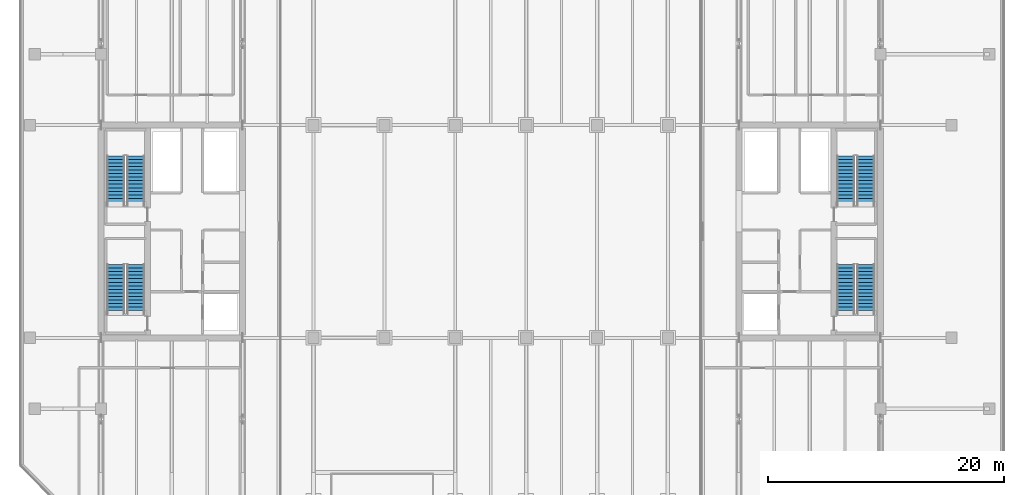
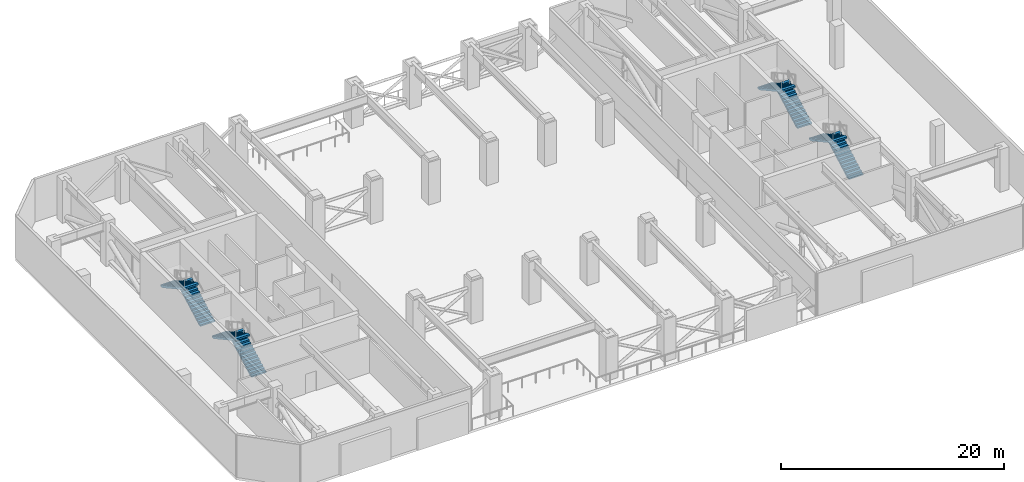
# One storey, part 15 of 21: 8 stair flights, 4 elements without a shape of their own.
"""IFC4 building model written with IfcOpenShell, lengths in metres."""

from ifc_helpers import new_model, si_unit, direction, frame, origin, place, context, subcontext, project, spatial, polyline, outline, extrude, material, type_object, element, aggregate, save


model = new_model("IFC4")

# Units and contexts
model_context = context("Model", 3, precision=1e-05, world=origin(), true_north=direction((0.0, 1.0)))
body_context = subcontext(model_context, "Body", "Model", "MODEL_VIEW")
ifc_project = project(units=[si_unit("LENGTHUNIT", "METRE"), si_unit("AREAUNIT", "SQUARE_METRE"), si_unit("VOLUMEUNIT", "CUBIC_METRE"), si_unit("PLANEANGLEUNIT", "RADIAN"), si_unit("MASSUNIT", "GRAM", prefix="KILO")], contexts=[model_context])

# Site, building, storey
site_placement = place(None, origin())
site = spatial("IfcSite", under=ifc_project, at=site_placement, CompositionType="ELEMENT")
building_placement = place(site_placement, origin())
building = spatial("IfcBuilding", under=site, at=building_placement, Name="Tanjung Sevakor Pilgrim Tower", CompositionType="ELEMENT")
storey_placement = place(building_placement, frame((0.0, 0.0, 123.090087890625)))
storey = spatial("IfcBuildingStorey", under=building, at=storey_placement, Name="L34", CompositionType="ELEMENT", Elevation=123.090087890625)

# Stair, stair flights
ifc_material_1 = material(Name="Concrete C40/50", Category="concrete")
stair_type = type_object("IfcStairType", Name="STAIR-ST-CR150", PredefinedType="HALF_TURN_STAIR", material=ifc_material_1)
stair_1_placement = place(storey_placement, origin())
stair_1 = element("IfcStair", 1, at=stair_1_placement, inside=storey, type_object=stair_type, Name="L34 West Core Exit Stair 1", PredefinedType="HALF_TURN_STAIR")
ifc_material_2 = material(Name="Concrete C40/50", Category="concrete")
stair_flight_type = type_object("IfcStairFlightType", Name="FLIGHT-ST-CR150", PredefinedType="STRAIGHT", material=ifc_material_2)
stair_flight_1_placement = place(storey_placement, frame((26.949951171875, 26.60009765625, 0.0), z_axis=(0.0, 0.0, 1.0), x_axis=(0.0, 1.0, 0.0)))
stair_flight_1 = element("IfcStairFlight", 2, at=stair_flight_1_placement, type_object=stair_flight_type, Name="TS-W1 flight 1", NumberOfRisers=15, NumberOfTreads=14, PredefinedType="STRAIGHT", RiserHeight=0.165, TreadLength=0.3, context=body_context, shape_type="SweptSolid", body=[
    extrude(outline(polyline([(0.0, 0.0), (0.0, 0.1650390625), (0.300048828125, 0.1650390625), (0.300048828125, 0.330078125), (0.60009765625, 0.330078125), (0.60009765625, 0.4951171875), (0.89990234375, 0.4951171875), (0.89990234375, 0.659912109375), (1.199951171875, 0.659912109375), (1.199951171875, 0.824951171875), (1.5, 0.824951171875), (1.5, 0.989990234375), (1.800048828125, 0.989990234375), (1.800048828125, 1.155029296875), (2.10009765625, 1.155029296875), (2.10009765625, 1.320068359375), (2.39990234375, 1.320068359375), (2.39990234375, 1.485107421875), (2.699951171875, 1.485107421875), (2.699951171875, 1.64990234375), (3.0, 1.64990234375), (3.0, 1.81494140625), (3.300048828125, 1.81494140625), (3.300048828125, 1.97998046875), (3.60009765625, 1.97998046875), (3.60009765625, 2.14501953125), (3.89990234375, 2.14501953125), (3.89990234375, 2.31005859375), (4.199951171875, 2.31005859375), (4.199951171875, 2.47509765625), (4.199951171875, 2.12744140625), (0.331787109375, 0.0), (0.0, 0.0)])), frame((0.0, 0.75, 0.0), z_axis=(0.0, -1.0, 0.0), x_axis=(1.0, 0.0, 0.0)), (0.0, 0.0, 1.0), 1.5),
])
stair_flight_2_placement = place(storey_placement, frame((25.25, 30.800048828125, 2.474853515625), z_axis=(0.0, 0.0, 1.0), x_axis=(0.0, -1.0, 0.0)))
stair_flight_2 = element("IfcStairFlight", 3, at=stair_flight_2_placement, type_object=stair_flight_type, Name="TS-W1 flight 2", NumberOfRisers=15, NumberOfTreads=14, PredefinedType="STRAIGHT", RiserHeight=0.165, TreadLength=0.3, context=body_context, shape_type="SweptSolid", body=[
    extrude(outline(polyline([(0.0, 0.0), (0.0, 0.1650390625), (0.300048828125, 0.1650390625), (0.300048828125, 0.330078125), (0.60009765625, 0.330078125), (0.60009765625, 0.4951171875), (0.89990234375, 0.4951171875), (0.89990234375, 0.659912109375), (1.199951171875, 0.659912109375), (1.199951171875, 0.824951171875), (1.5, 0.824951171875), (1.5, 0.989990234375), (1.800048828125, 0.989990234375), (1.800048828125, 1.155029296875), (2.10009765625, 1.155029296875), (2.10009765625, 1.320068359375), (2.39990234375, 1.320068359375), (2.39990234375, 1.485107421875), (2.699951171875, 1.485107421875), (2.699951171875, 1.64990234375), (3.0, 1.64990234375), (3.0, 1.81494140625), (3.300048828125, 1.81494140625), (3.300048828125, 1.97998046875), (3.60009765625, 1.97998046875), (3.60009765625, 2.14501953125), (3.89990234375, 2.14501953125), (3.89990234375, 2.31005859375), (4.199951171875, 2.31005859375), (4.199951171875, 2.47509765625), (4.199951171875, 2.12744140625), (0.331787109375, 0.0), (0.0, 0.0)])), frame((0.0, 0.75, 0.0), z_axis=(0.0, -1.0, 0.0), x_axis=(1.0, 0.0, 0.0)), (0.0, 0.0, 1.0), 1.5),
])
aggregate(stair_1, [stair_flight_1, stair_flight_2])

stair_2_placement = place(storey_placement, origin())
stair_2 = element("IfcStair", 4, at=stair_2_placement, inside=storey, type_object=stair_type, Name="L34 West Core Exit Stair 2", PredefinedType="HALF_TURN_STAIR")
stair_flight_3_placement = place(storey_placement, frame((26.949951171875, 35.800048828125, 0.0), z_axis=(0.0, 0.0, 1.0), x_axis=(0.0, 1.0, 0.0)))
stair_flight_3 = element("IfcStairFlight", 5, at=stair_flight_3_placement, type_object=stair_flight_type, Name="TS-W2 flight 1", NumberOfRisers=15, NumberOfTreads=14, PredefinedType="STRAIGHT", RiserHeight=0.165, TreadLength=0.3, context=body_context, shape_type="SweptSolid", body=[
    extrude(outline(polyline([(0.0, 0.0), (0.0, 0.1650390625), (0.300048828125, 0.1650390625), (0.300048828125, 0.330078125), (0.60009765625, 0.330078125), (0.60009765625, 0.4951171875), (0.89990234375, 0.4951171875), (0.89990234375, 0.659912109375), (1.199951171875, 0.659912109375), (1.199951171875, 0.824951171875), (1.5, 0.824951171875), (1.5, 0.989990234375), (1.800048828125, 0.989990234375), (1.800048828125, 1.155029296875), (2.10009765625, 1.155029296875), (2.10009765625, 1.320068359375), (2.39990234375, 1.320068359375), (2.39990234375, 1.485107421875), (2.699951171875, 1.485107421875), (2.699951171875, 1.64990234375), (3.0, 1.64990234375), (3.0, 1.81494140625), (3.300048828125, 1.81494140625), (3.300048828125, 1.97998046875), (3.60009765625, 1.97998046875), (3.60009765625, 2.14501953125), (3.89990234375, 2.14501953125), (3.89990234375, 2.31005859375), (4.199951171875, 2.31005859375), (4.199951171875, 2.47509765625), (4.199951171875, 2.12744140625), (0.331787109375, 0.0), (0.0, 0.0)])), frame((0.0, 0.75, 0.0), z_axis=(0.0, -1.0, 0.0), x_axis=(1.0, 0.0, 0.0)), (0.0, 0.0, 1.0), 1.5),
])
stair_flight_4_placement = place(storey_placement, frame((25.25, 40.0, 2.474853515625), z_axis=(0.0, 0.0, 1.0), x_axis=(0.0, -1.0, 0.0)))
stair_flight_4 = element("IfcStairFlight", 6, at=stair_flight_4_placement, type_object=stair_flight_type, Name="TS-W2 flight 2", NumberOfRisers=15, NumberOfTreads=14, PredefinedType="STRAIGHT", RiserHeight=0.165, TreadLength=0.3, context=body_context, shape_type="SweptSolid", body=[
    extrude(outline(polyline([(0.0, 0.0), (0.0, 0.1650390625), (0.300048828125, 0.1650390625), (0.300048828125, 0.330078125), (0.60009765625, 0.330078125), (0.60009765625, 0.4951171875), (0.89990234375, 0.4951171875), (0.89990234375, 0.659912109375), (1.199951171875, 0.659912109375), (1.199951171875, 0.824951171875), (1.5, 0.824951171875), (1.5, 0.989990234375), (1.800048828125, 0.989990234375), (1.800048828125, 1.155029296875), (2.10009765625, 1.155029296875), (2.10009765625, 1.320068359375), (2.39990234375, 1.320068359375), (2.39990234375, 1.485107421875), (2.699951171875, 1.485107421875), (2.699951171875, 1.64990234375), (3.0, 1.64990234375), (3.0, 1.81494140625), (3.300048828125, 1.81494140625), (3.300048828125, 1.97998046875), (3.60009765625, 1.97998046875), (3.60009765625, 2.14501953125), (3.89990234375, 2.14501953125), (3.89990234375, 2.31005859375), (4.199951171875, 2.31005859375), (4.199951171875, 2.47509765625), (4.199951171875, 2.12744140625), (0.331787109375, 0.0), (0.0, 0.0)])), frame((0.0, 0.75, 0.0), z_axis=(0.0, -1.0, 0.0), x_axis=(1.0, 0.0, 0.0)), (0.0, 0.0, 1.0), 1.5),
])
aggregate(stair_2, [stair_flight_3, stair_flight_4])

stair_3_placement = place(storey_placement, origin())
stair_3 = element("IfcStair", 7, at=stair_3_placement, inside=storey, type_object=stair_type, Name="L34 East Core Exit Stair 1", PredefinedType="HALF_TURN_STAIR")
stair_flight_5_placement = place(storey_placement, frame((88.75, 26.60009765625, 0.0), z_axis=(0.0, 0.0, 1.0), x_axis=(0.0, 1.0, 0.0)))
stair_flight_5 = element("IfcStairFlight", 8, at=stair_flight_5_placement, type_object=stair_flight_type, Name="TS-E1 flight 1", NumberOfRisers=15, NumberOfTreads=14, PredefinedType="STRAIGHT", RiserHeight=0.165, TreadLength=0.3, context=body_context, shape_type="SweptSolid", body=[
    extrude(outline(polyline([(0.0, 0.0), (0.0, 0.1650390625), (0.300048828125, 0.1650390625), (0.300048828125, 0.330078125), (0.60009765625, 0.330078125), (0.60009765625, 0.4951171875), (0.89990234375, 0.4951171875), (0.89990234375, 0.659912109375), (1.199951171875, 0.659912109375), (1.199951171875, 0.824951171875), (1.5, 0.824951171875), (1.5, 0.989990234375), (1.800048828125, 0.989990234375), (1.800048828125, 1.155029296875), (2.10009765625, 1.155029296875), (2.10009765625, 1.320068359375), (2.39990234375, 1.320068359375), (2.39990234375, 1.485107421875), (2.699951171875, 1.485107421875), (2.699951171875, 1.64990234375), (3.0, 1.64990234375), (3.0, 1.81494140625), (3.300048828125, 1.81494140625), (3.300048828125, 1.97998046875), (3.60009765625, 1.97998046875), (3.60009765625, 2.14501953125), (3.89990234375, 2.14501953125), (3.89990234375, 2.31005859375), (4.199951171875, 2.31005859375), (4.199951171875, 2.47509765625), (4.199951171875, 2.12744140625), (0.331787109375, 0.0), (0.0, 0.0)])), frame((0.0, 0.75, 0.0), z_axis=(0.0, -1.0, 0.0), x_axis=(1.0, 0.0, 0.0)), (0.0, 0.0, 1.0), 1.5),
])
stair_flight_6_placement = place(storey_placement, frame((87.050048828125, 30.800048828125, 2.474853515625), z_axis=(0.0, 0.0, 1.0), x_axis=(0.0, -1.0, 0.0)))
stair_flight_6 = element("IfcStairFlight", 9, at=stair_flight_6_placement, type_object=stair_flight_type, Name="TS-E1 flight 2", NumberOfRisers=15, NumberOfTreads=14, PredefinedType="STRAIGHT", RiserHeight=0.165, TreadLength=0.3, context=body_context, shape_type="SweptSolid", body=[
    extrude(outline(polyline([(0.0, 0.0), (0.0, 0.1650390625), (0.300048828125, 0.1650390625), (0.300048828125, 0.330078125), (0.60009765625, 0.330078125), (0.60009765625, 0.4951171875), (0.89990234375, 0.4951171875), (0.89990234375, 0.659912109375), (1.199951171875, 0.659912109375), (1.199951171875, 0.824951171875), (1.5, 0.824951171875), (1.5, 0.989990234375), (1.800048828125, 0.989990234375), (1.800048828125, 1.155029296875), (2.10009765625, 1.155029296875), (2.10009765625, 1.320068359375), (2.39990234375, 1.320068359375), (2.39990234375, 1.485107421875), (2.699951171875, 1.485107421875), (2.699951171875, 1.64990234375), (3.0, 1.64990234375), (3.0, 1.81494140625), (3.300048828125, 1.81494140625), (3.300048828125, 1.97998046875), (3.60009765625, 1.97998046875), (3.60009765625, 2.14501953125), (3.89990234375, 2.14501953125), (3.89990234375, 2.31005859375), (4.199951171875, 2.31005859375), (4.199951171875, 2.47509765625), (4.199951171875, 2.12744140625), (0.331787109375, 0.0), (0.0, 0.0)])), frame((0.0, 0.75, 0.0), z_axis=(0.0, -1.0, 0.0), x_axis=(1.0, 0.0, 0.0)), (0.0, 0.0, 1.0), 1.5),
])
aggregate(stair_3, [stair_flight_5, stair_flight_6])

stair_4_placement = place(storey_placement, origin())
stair_4 = element("IfcStair", 10, at=stair_4_placement, inside=storey, type_object=stair_type, Name="L34 East Core Exit Stair 2", PredefinedType="HALF_TURN_STAIR")
stair_flight_7_placement = place(storey_placement, frame((88.75, 35.800048828125, 0.0), z_axis=(0.0, 0.0, 1.0), x_axis=(0.0, 1.0, 0.0)))
stair_flight_7 = element("IfcStairFlight", 11, at=stair_flight_7_placement, type_object=stair_flight_type, Name="TS-E2 flight 1", NumberOfRisers=15, NumberOfTreads=14, PredefinedType="STRAIGHT", RiserHeight=0.165, TreadLength=0.3, context=body_context, shape_type="SweptSolid", body=[
    extrude(outline(polyline([(0.0, 0.0), (0.0, 0.1650390625), (0.300048828125, 0.1650390625), (0.300048828125, 0.330078125), (0.60009765625, 0.330078125), (0.60009765625, 0.4951171875), (0.89990234375, 0.4951171875), (0.89990234375, 0.659912109375), (1.199951171875, 0.659912109375), (1.199951171875, 0.824951171875), (1.5, 0.824951171875), (1.5, 0.989990234375), (1.800048828125, 0.989990234375), (1.800048828125, 1.155029296875), (2.10009765625, 1.155029296875), (2.10009765625, 1.320068359375), (2.39990234375, 1.320068359375), (2.39990234375, 1.485107421875), (2.699951171875, 1.485107421875), (2.699951171875, 1.64990234375), (3.0, 1.64990234375), (3.0, 1.81494140625), (3.300048828125, 1.81494140625), (3.300048828125, 1.97998046875), (3.60009765625, 1.97998046875), (3.60009765625, 2.14501953125), (3.89990234375, 2.14501953125), (3.89990234375, 2.31005859375), (4.199951171875, 2.31005859375), (4.199951171875, 2.47509765625), (4.199951171875, 2.12744140625), (0.331787109375, 0.0), (0.0, 0.0)])), frame((0.0, 0.75, 0.0), z_axis=(0.0, -1.0, 0.0), x_axis=(1.0, 0.0, 0.0)), (0.0, 0.0, 1.0), 1.5),
])
stair_flight_8_placement = place(storey_placement, frame((87.050048828125, 40.0, 2.474853515625), z_axis=(0.0, 0.0, 1.0), x_axis=(0.0, -1.0, 0.0)))
stair_flight_8 = element("IfcStairFlight", 12, at=stair_flight_8_placement, type_object=stair_flight_type, Name="TS-E2 flight 2", NumberOfRisers=15, NumberOfTreads=14, PredefinedType="STRAIGHT", RiserHeight=0.165, TreadLength=0.3, context=body_context, shape_type="SweptSolid", body=[
    extrude(outline(polyline([(0.0, 0.0), (0.0, 0.1650390625), (0.300048828125, 0.1650390625), (0.300048828125, 0.330078125), (0.60009765625, 0.330078125), (0.60009765625, 0.4951171875), (0.89990234375, 0.4951171875), (0.89990234375, 0.659912109375), (1.199951171875, 0.659912109375), (1.199951171875, 0.824951171875), (1.5, 0.824951171875), (1.5, 0.989990234375), (1.800048828125, 0.989990234375), (1.800048828125, 1.155029296875), (2.10009765625, 1.155029296875), (2.10009765625, 1.320068359375), (2.39990234375, 1.320068359375), (2.39990234375, 1.485107421875), (2.699951171875, 1.485107421875), (2.699951171875, 1.64990234375), (3.0, 1.64990234375), (3.0, 1.81494140625), (3.300048828125, 1.81494140625), (3.300048828125, 1.97998046875), (3.60009765625, 1.97998046875), (3.60009765625, 2.14501953125), (3.89990234375, 2.14501953125), (3.89990234375, 2.31005859375), (4.199951171875, 2.31005859375), (4.199951171875, 2.47509765625), (4.199951171875, 2.12744140625), (0.331787109375, 0.0), (0.0, 0.0)])), frame((0.0, 0.75, 0.0), z_axis=(0.0, -1.0, 0.0), x_axis=(1.0, 0.0, 0.0)), (0.0, 0.0, 1.0), 1.5),
])
aggregate(stair_4, [stair_flight_7, stair_flight_8])

save(model, "model.ifc")
